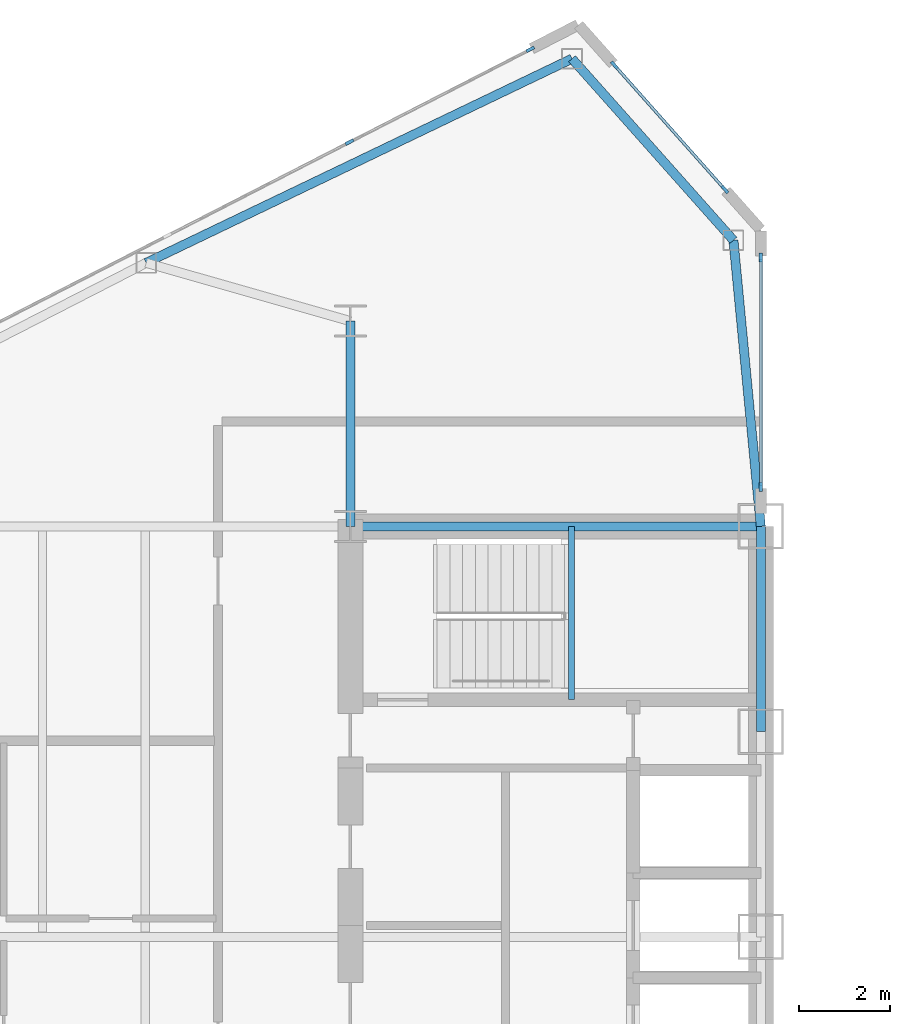
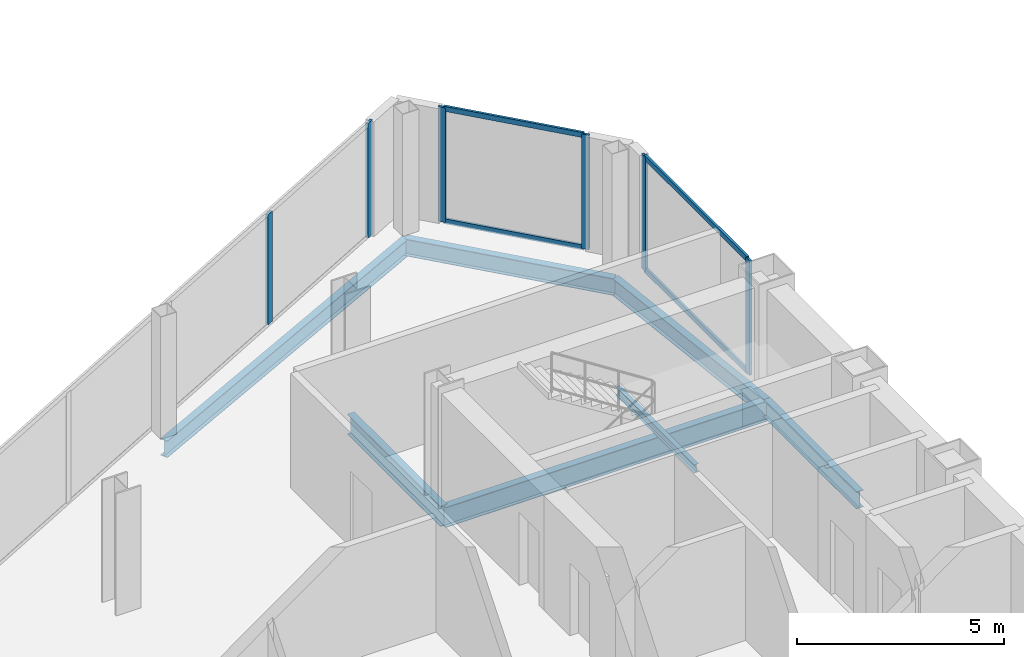
# One storey, part 7 of 22: 10 members, 7 beams, 3 elements without a shape of their own.
"""IFC4 building model written with IfcOpenShell, lengths in metres."""

from ifc_helpers import new_model, si_unit, direction, frame, origin, origin_2d, place, context, subcontext, project, spatial, rectangle, i_section, extrude, source, transform, mapped, material, layer, layer_set, material_profile, profile_set, type_object, type_shapes, element, aggregate, save


model = new_model("IFC4")

# Units and contexts
model_context = context("Model", 3, precision=1e-05, world=origin(), true_north=direction((0.0, 1.0)))
body_context = subcontext(model_context, "Body", "Model", "MODEL_VIEW")
ifc_project = project(units=[si_unit("LENGTHUNIT", "METRE"), si_unit("AREAUNIT", "SQUARE_METRE"), si_unit("VOLUMEUNIT", "CUBIC_METRE"), si_unit("PLANEANGLEUNIT", "RADIAN"), si_unit("MASSUNIT", "GRAM", prefix="KILO")], contexts=[model_context])

# Site, building, storey
site_placement = place(None, origin())
site = spatial("IfcSite", under=ifc_project, at=site_placement, CompositionType="ELEMENT")
building_placement = place(site_placement, origin())
building = spatial("IfcBuilding", under=site, at=building_placement, Name="Seokmaru Belvedere", CompositionType="ELEMENT")
storey_placement = place(building_placement, frame((0.0, 0.0, 151.199951171875)))
storey = spatial("IfcBuildingStorey", under=building, at=storey_placement, Name="L40", CompositionType="ELEMENT", Elevation=151.199951171875)

# Beams
ifc_material_1 = material(Name="Steel SM355 (355 MPa)", Category="steel")
ifc_material_profile_1 = material_profile(ifc_material_1, i_section(OverallWidth=0.199951171875, OverallDepth=0.5, WebThickness=0.010009765625, FlangeThickness=0.01611328125, at=origin_2d()), Name="H-500x200x10x16")
ifc_profile_set_1 = profile_set([ifc_material_profile_1], Name="Steel SM355 (355 MPa)")
beam_type_1 = type_object("IfcBeamType", Name="Perimeter Spandrel Beam H-500", PredefinedType="SPANDREL", material=ifc_profile_set_1)
shared_shape_1 = source(origin(), body_context, "Body", "SweptSolid", [
    extrude(i_section(OverallWidth=0.199951171875, OverallDepth=0.5, WebThickness=0.010009765625, FlangeThickness=0.01611328125, at=origin_2d()), origin(), (0.0, 0.0, 1.0), 4.5),
])
beam_1_placement = place(storey_placement, frame((-27.5, 9.0, -0.469970703125), z_axis=(0.0, 1.0, 0.0), x_axis=(-1.0, 0.0, 0.0)))
element("IfcBeam", 1, at=beam_1_placement, inside=storey, type_object=beam_type_1, Name="L40 W Portal Spine Spandrel 5", PredefinedType="SPANDREL", context=body_context, shape_type="MappedRepresentation", body=[
    mapped(shared_shape_1, transform((0.0, 0.0, 0.0), scale=1.0)),
])
ifc_material_profile_2 = material_profile(ifc_material_1, i_section(OverallWidth=0.199951171875, OverallDepth=0.60009765625, WebThickness=0.010986328125, FlangeThickness=0.01708984375, at=origin_2d()), Name="H-600x200x11x17")
ifc_profile_set_2 = profile_set([ifc_material_profile_2], Name="Steel SM355 (355 MPa)")
beam_type_2 = type_object("IfcBeamType", Name="Primary Floor Girder H-600", PredefinedType="BEAM", material=ifc_profile_set_2)
shared_shape_2 = source(origin(), body_context, "Body", "SweptSolid", [
    extrude(i_section(OverallWidth=0.199951171875, OverallDepth=0.60009765625, WebThickness=0.010986328125, FlangeThickness=0.01708984375, at=origin_2d()), origin(), (0.0, 0.0, 1.0), 9.0),
])
beam_2_placement = place(storey_placement, frame((-36.5, 13.5, -0.52001953125), z_axis=(1.0, 0.0, 0.0), x_axis=(0.0, 1.0, 0.0)))
element("IfcBeam", 2, at=beam_2_placement, inside=storey, type_object=beam_type_2, Name="L40 W Core Tie Girder 4", PredefinedType="BEAM", context=body_context, shape_type="MappedRepresentation", body=[
    mapped(shared_shape_2, transform((0.0, 0.0, 0.0), scale=1.0)),
])
shared_shape_3 = source(origin(), body_context, "Body", "SweptSolid", [
    extrude(i_section(OverallWidth=0.199951171875, OverallDepth=0.60009765625, WebThickness=0.010986328125, FlangeThickness=0.01708984375, at=origin_2d()), origin(), (0.0, 0.0, 1.0), 4.5),
])
type_shapes(beam_type_2, [shared_shape_2, shared_shape_3])
beam_3_placement = place(storey_placement, frame((-36.5, 13.5, -0.52001953125), z_axis=(0.0, 1.0, 0.0), x_axis=(-1.0, 0.0, 0.0)))
element("IfcBeam", 3, at=beam_3_placement, inside=storey, type_object=beam_type_2, Name="L40 W Core Shoulder Girder N", PredefinedType="BEAM", context=body_context, shape_type="MappedRepresentation", body=[
    mapped(shared_shape_3, transform((0.0, 0.0, 0.0), scale=1.0)),
])
shared_shape_4 = source(origin(), body_context, "Body", "SweptSolid", [
    extrude(i_section(OverallWidth=0.199951171875, OverallDepth=0.5, WebThickness=0.010009765625, FlangeThickness=0.01611328125, at=origin_2d()), origin(), (0.0, 0.0, 1.0), 10.353759765625),
])
beam_4_placement = place(storey_placement, frame((-31.6396484375, 23.75390625, -0.469970703125), z_axis=(-0.901713202822, -0.432334708134, 0.0), x_axis=(0.432334708134, -0.901713202822, 0.0)))
element("IfcBeam", 4, at=beam_4_placement, inside=storey, type_object=beam_type_1, Name="L40 W Faceted Flank Spandrel N-1", PredefinedType="SPANDREL", context=body_context, shape_type="MappedRepresentation", body=[
    mapped(shared_shape_4, transform((0.0, 0.0, 0.0), scale=1.0)),
])
shared_shape_5 = source(origin(), body_context, "Body", "SweptSolid", [
    extrude(i_section(OverallWidth=0.199951171875, OverallDepth=0.5, WebThickness=0.010009765625, FlangeThickness=0.01611328125, at=origin_2d()), origin(), (0.0, 0.0, 1.0), 5.32763671875),
])
beam_5_placement = place(storey_placement, frame((-31.6396484375, 23.75390625, -0.469970703125), z_axis=(0.66436952742, -0.74740426212, 0.0), x_axis=(0.74740426212, 0.66436952742, 0.0)))
element("IfcBeam", 5, at=beam_5_placement, inside=storey, type_object=beam_type_1, Name="L40 W Shoulder Chamfer Spandrel N", PredefinedType="SPANDREL", context=body_context, shape_type="MappedRepresentation", body=[
    mapped(shared_shape_5, transform((0.0, 0.0, 0.0), scale=1.0)),
])
shared_shape_6 = source(origin(), body_context, "Body", "SweptSolid", [
    extrude(i_section(OverallWidth=0.199951171875, OverallDepth=0.5, WebThickness=0.010009765625, FlangeThickness=0.01611328125, at=origin_2d()), origin(), (0.0, 0.0, 1.0), 6.300537109375),
])
type_shapes(beam_type_1, [shared_shape_1, shared_shape_4, shared_shape_5, shared_shape_6])
beam_6_placement = place(storey_placement, frame((-28.10009765625, 19.77197265625, -0.469970703125), z_axis=(0.095244287992, -0.995453929424, 0.0), x_axis=(0.995453929424, 0.095244287992, 0.0)))
element("IfcBeam", 6, at=beam_6_placement, inside=storey, type_object=beam_type_1, Name="L40 W Shoulder Spine Spandrel N", PredefinedType="SPANDREL", context=body_context, shape_type="MappedRepresentation", body=[
    mapped(shared_shape_6, transform((0.0, 0.0, 0.0), scale=1.0)),
])

# Curtain wall, members
ifc_material_2 = material(Name="Bronze Triple Insulating Glass", Category="glass")
ifc_layer = layer(ifc_material_2, 0.195068359375)
ifc_layer_set = layer_set([ifc_layer], Name="Bronze Triple Insulating Glass")
curtain_wall_type = type_object("IfcCurtainWallType", Name="Sky-Lobby and Mid-Rise Curtain Wall System CW-4", PredefinedType="NOTDEFINED", material=ifc_layer_set)
curtain_wall_1_placement = place(storey_placement, origin())
curtain_wall_1 = element("IfcCurtainWall", 7, at=curtain_wall_1_placement, inside=storey, type_object=curtain_wall_type, Name="L40 Curtain Wall WSP_2", PredefinedType="NOTDEFINED")
ifc_material_3 = material(Name="Anodised Bronze Aluminium", Category="aluminium")
ifc_material_profile_3 = material_profile(ifc_material_3, rectangle(XDim=0.070068359375, YDim=0.195068359375, at=origin_2d()), Name="CW-M-70x195")
ifc_profile_set_3 = profile_set([ifc_material_profile_3], Name="Anodised Bronze Aluminium")
member_type_1 = type_object("IfcMemberType", Name="Bronze Unitised Mullion 70x195", PredefinedType="MULLION", material=ifc_profile_set_3)
shared_shape_7 = source(origin(), body_context, "Body", "SweptSolid", [
    extrude(rectangle(XDim=0.070068359375, YDim=0.195068359375, at=origin_2d()), origin(), (0.0, 0.0, 1.0), 3.380126953125),
])
member_1_placement = place(storey_placement, frame((-27.5, 14.364990234375, 0.0), z_axis=(0.0, 0.0, 1.0), x_axis=(-1.0, 0.0, 0.0)))
member_1 = element("IfcMember", 8, at=member_1_placement, type_object=member_type_1, Name="CW:L40:WSP_2 Mullion 1", PredefinedType="MULLION", context=body_context, shape_type="MappedRepresentation", body=[
    mapped(shared_shape_7, transform((0.0, 0.0, 0.0), scale=1.0)),
])
member_2_placement = place(storey_placement, frame((-27.5, 19.39501953125, 0.0), z_axis=(0.0, 0.0, 1.0), x_axis=(-1.0, 0.0, 0.0)))
member_2 = element("IfcMember", 9, at=member_2_placement, type_object=member_type_1, Name="CW:L40:WSP_2 Mullion 2", PredefinedType="MULLION", context=body_context, shape_type="MappedRepresentation", body=[
    mapped(shared_shape_7, transform((0.0, 0.0, 0.0), scale=1.0)),
])

curtain_wall_2_placement = place(storey_placement, origin())
curtain_wall_2 = element("IfcCurtainWall", 10, at=curtain_wall_2_placement, inside=storey, type_object=curtain_wall_type, Name="L40 Curtain Wall WF2", PredefinedType="NOTDEFINED")
member_3_placement = place(storey_placement, frame((-28.287353515625, 20.8857421875, 0.0), z_axis=(0.0, 0.0, 1.0), x_axis=(-0.747409774804, -0.664363325694, 0.0)))
member_3 = element("IfcMember", 11, at=member_3_placement, type_object=member_type_1, Name="CW:L40:WF2 Mullion 1", PredefinedType="MULLION", context=body_context, shape_type="MappedRepresentation", body=[
    mapped(shared_shape_7, transform((0.0, 0.0, 0.0), scale=1.0)),
])
member_4_placement = place(storey_placement, frame((-30.712646484375, 23.6142578125, 0.0), z_axis=(0.0, 0.0, 1.0), x_axis=(-0.747409774804, -0.664363325694, 0.0)))
member_4 = element("IfcMember", 12, at=member_4_placement, type_object=member_type_1, Name="CW:L40:WF2 Mullion 2", PredefinedType="MULLION", context=body_context, shape_type="MappedRepresentation", body=[
    mapped(shared_shape_7, transform((0.0, 0.0, 0.0), scale=1.0)),
])

# Curtain wall, member
curtain_wall_3_placement = place(storey_placement, origin())
curtain_wall_3 = element("IfcCurtainWall", 13, at=curtain_wall_3_placement, inside=storey, type_object=curtain_wall_type, Name="L40 Curtain Wall WF3", PredefinedType="NOTDEFINED")
member_5_placement = place(storey_placement, frame((-32.55419921875, 23.958984375, 0.0), z_axis=(0.0, 0.0, 1.0), x_axis=(0.456554528263, -0.889695432562, 0.0)))
member_5 = element("IfcMember", 14, at=member_5_placement, type_object=member_type_1, Name="CW:L40:WF3 Mullion 1", PredefinedType="MULLION", context=body_context, shape_type="MappedRepresentation", body=[
    mapped(shared_shape_7, transform((0.0, 0.0, 0.0), scale=1.0)),
])

# Member
ifc_material_profile_4 = material_profile(ifc_material_3, rectangle(XDim=0.06494140625, YDim=0.14990234375, at=origin_2d()), Name="CW-T-65x150")
ifc_profile_set_4 = profile_set([ifc_material_profile_4], Name="Anodised Bronze Aluminium")
member_type_2 = type_object("IfcMemberType", Name="Bronze Unitised Transom 65x150", PredefinedType="USERDEFINED", material=ifc_profile_set_4)
shared_shape_8 = source(origin(), body_context, "Body", "SweptSolid", [
    extrude(rectangle(XDim=0.06494140625, YDim=0.14990234375, at=origin_2d()), origin(), (0.0, 0.0, 1.0), 3.580810546875),
])
member_6_placement = place(storey_placement, frame((-28.310546875, 20.911865234375, 0.032470703125), z_axis=(-0.66436383883, 0.747409318684, 0.0), x_axis=(-0.747409318684, -0.66436383883, 0.0)))
member_6 = element("IfcMember", 15, at=member_6_placement, type_object=member_type_2, Name="CW:L40:WF2 Continuous Transom 1", ObjectType="TRANSOM", PredefinedType="USERDEFINED", context=body_context, shape_type="MappedRepresentation", body=[
    mapped(shared_shape_8, transform((0.0, 0.0, 0.0), scale=1.0)),
])

member_7_placement = place(storey_placement, frame((-28.310546875, 20.911865234375, 3.34765625), z_axis=(-0.66436383883, 0.747409318684, 0.0), x_axis=(-0.747409318684, -0.66436383883, 0.0)))
member_7 = element("IfcMember", 16, at=member_7_placement, type_object=member_type_2, Name="CW:L40:WF2 Continuous Transom 2", ObjectType="TRANSOM", PredefinedType="USERDEFINED", context=body_context, shape_type="MappedRepresentation", body=[
    mapped(shared_shape_8, transform((0.0, 0.0, 0.0), scale=1.0)),
])

aggregate(curtain_wall_2, [member_3, member_4, member_6, member_7])

shared_shape_9 = source(origin(), body_context, "Body", "SweptSolid", [
    extrude(rectangle(XDim=0.070068359375, YDim=0.195068359375, at=origin_2d()), origin(), (0.0, 0.0, 1.0), 3.25),
])
type_shapes(member_type_1, [shared_shape_7, shared_shape_9])
member_8_placement = place(storey_placement, frame((-36.51806640625, 21.925048828125, 0.06494140625), z_axis=(0.0, 0.0, 1.0), x_axis=(0.456554528263, -0.889695432562, 0.0)))
member_8 = element("IfcMember", 17, at=member_8_placement, type_object=member_type_1, Name="CW:L40:WF3 Mullion 2", PredefinedType="MULLION", context=body_context, shape_type="MappedRepresentation", body=[
    mapped(shared_shape_9, transform((0.0, 0.0, 0.0), scale=1.0)),
])

aggregate(curtain_wall_3, [member_5, member_8])

shared_shape_10 = source(origin(), body_context, "Body", "SweptSolid", [
    extrude(rectangle(XDim=0.06494140625, YDim=0.14990234375, at=origin_2d()), origin(), (0.0, 0.0, 1.0), 4.960205078125),
])
type_shapes(member_type_2, [shared_shape_8, shared_shape_10])
member_9_placement = place(storey_placement, frame((-27.5, 14.39990234375, 0.032470703125), z_axis=(0.0, 1.0, 0.0), x_axis=(-1.0, 0.0, 0.0)))
member_9 = element("IfcMember", 18, at=member_9_placement, type_object=member_type_2, Name="CW:L40:WSP_2 Continuous Transom 1", ObjectType="TRANSOM", PredefinedType="USERDEFINED", context=body_context, shape_type="MappedRepresentation", body=[
    mapped(shared_shape_10, transform((0.0, 0.0, 0.0), scale=1.0)),
])

member_10_placement = place(storey_placement, frame((-27.5, 14.39990234375, 3.34765625), z_axis=(0.0, 1.0, 0.0), x_axis=(-1.0, 0.0, 0.0)))
member_10 = element("IfcMember", 19, at=member_10_placement, type_object=member_type_2, Name="CW:L40:WSP_2 Continuous Transom 2", ObjectType="TRANSOM", PredefinedType="USERDEFINED", context=body_context, shape_type="MappedRepresentation", body=[
    mapped(shared_shape_10, transform((0.0, 0.0, 0.0), scale=1.0)),
])

aggregate(curtain_wall_1, [member_1, member_2, member_9, member_10])

# Beam
ifc_material_profile_5 = material_profile(ifc_material_1, i_section(OverallWidth=0.125, OverallDepth=0.25, WebThickness=0.006103515625, FlangeThickness=0.009033203125, at=origin_2d()), Name="H-250x125x6x9")
ifc_profile_set_5 = profile_set([ifc_material_profile_5], Name="Steel SM355 (355 MPa)")
beam_type_3 = type_object("IfcBeamType", Name="Stair Mid-Landing Support Beam H-250", PredefinedType="JOIST", material=ifc_profile_set_5)
shared_shape_11 = source(origin(), body_context, "Body", "SweptSolid", [
    extrude(i_section(OverallWidth=0.125, OverallDepth=0.25, WebThickness=0.006103515625, FlangeThickness=0.009033203125, at=origin_2d()), origin(), (0.0, 0.0, 1.0), 3.800048828125),
])
type_shapes(beam_type_3, [shared_shape_11])
beam_7_placement = place(storey_placement, frame((-31.64990234375, 9.699951171875, 1.47509765625), z_axis=(0.0, 1.0, 0.0), x_axis=(-1.0, 0.0, 0.0)))
element("IfcBeam", 20, at=beam_7_placement, inside=storey, type_object=beam_type_3, Name="L40 Stair ST-W2 Mid-Landing Support Beam 1", PredefinedType="JOIST", context=body_context, shape_type="MappedRepresentation", body=[
    mapped(shared_shape_11, transform((0.0, 0.0, 0.0), scale=1.0)),
])

save(model, "model.ifc")
